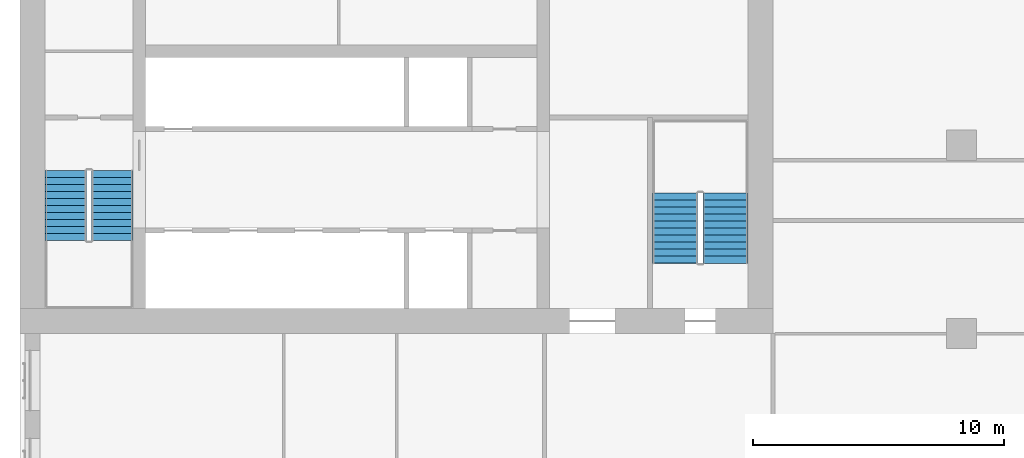
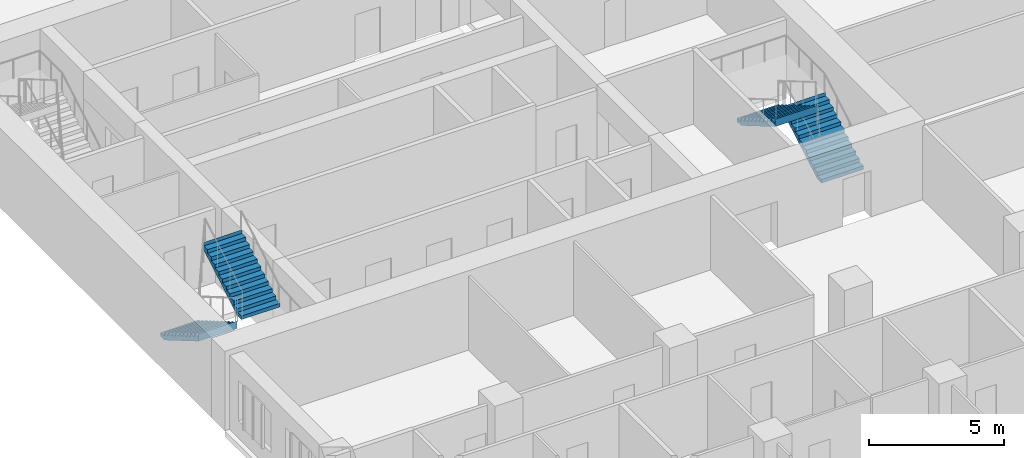
# One storey, part 12 of 14: 4 stair flights, 2 elements without a shape of their own.
"""IFC4 building model written with IfcOpenShell, lengths in metres."""

from ifc_helpers import new_model, si_unit, direction, frame, origin, place, context, subcontext, project, spatial, polyline, outline, extrude, material, type_object, element, aggregate, save


model = new_model("IFC4")

# Units and contexts
model_context = context("Model", 3, precision=1e-05, world=origin(), true_north=direction((0.0, 1.0)))
body_context = subcontext(model_context, "Body", "Model", "MODEL_VIEW")
ifc_project = project(units=[si_unit("LENGTHUNIT", "METRE"), si_unit("AREAUNIT", "SQUARE_METRE"), si_unit("VOLUMEUNIT", "CUBIC_METRE"), si_unit("PLANEANGLEUNIT", "RADIAN"), si_unit("MASSUNIT", "GRAM", prefix="KILO")], contexts=[model_context])

# Site, building, storey
site_placement = place(None, origin())
site = spatial("IfcSite", under=ifc_project, at=site_placement, CompositionType="ELEMENT")
building_placement = place(site_placement, origin())
building = spatial("IfcBuilding", under=site, at=building_placement, Name="Tamorin Gate", CompositionType="ELEMENT")
storey_placement = place(building_placement, frame((0.0, 0.0, 55.60009765625)))
storey = spatial("IfcBuildingStorey", under=building, at=storey_placement, Name="L12", CompositionType="ELEMENT", Elevation=55.60009765625)

# Stair, stair flights
ifc_material = material(Name="Concrete C40/50", Category="concrete")
stair_type = type_object("IfcStairType", Name="Exit stair", PredefinedType="HALF_TURN_STAIR", material=ifc_material)
stair_1_placement = place(storey_placement, origin())
stair_1 = element("IfcStair", 1, at=stair_1_placement, inside=storey, type_object=stair_type, Name="L12 stair ST1", PredefinedType="HALF_TURN_STAIR")
stair_flight_type = type_object("IfcStairFlightType", Name="Exit stair flight", PredefinedType="STRAIGHT", material=ifc_material)
stair_flight_1_placement = place(storey_placement, frame((31.824951171875, 66.5, 0.0), z_axis=(0.0, 0.0, 1.0), x_axis=(0.0, -1.0, 0.0)))
stair_flight_1 = element("IfcStairFlight", 2, at=stair_flight_1_placement, type_object=stair_flight_type, Name="ST1 flight 1", NumberOfRisers=11, NumberOfTreads=10, PredefinedType="STRAIGHT", RiserHeight=0.163636364, TreadLength=0.28, context=body_context, shape_type="SweptSolid", body=[
    extrude(outline(polyline([(-0.00048828125, 0.0), (-0.00048828125, 0.001708984375), (-0.00048828125, 0.003173828125), (-0.00048828125, 0.0048828125), (-0.00048828125, 0.006591796875), (-0.00048828125, 0.008056640625), (-0.00048828125, 0.009765625), (-0.00048828125, 0.01123046875), (-0.00048828125, 0.012939453125), (-0.00048828125, 0.0146484375), (-0.00048828125, 0.01611328125), (-0.00048828125, 0.017822265625), (-0.00048828125, 0.01953125), (-0.00048828125, 0.02099609375), (-0.00048828125, 0.022705078125), (-0.00048828125, 0.0244140625), (-0.00048828125, 0.02587890625), (-0.00048828125, 0.027587890625), (-0.00048828125, 0.029052734375), (-0.00048828125, 0.03076171875), (-0.00048828125, 0.032470703125), (-0.00048828125, 0.033935546875), (-0.00048828125, 0.03564453125), (-0.00048828125, 0.037353515625), (-0.00048828125, 0.038818359375), (-0.00048828125, 0.04052734375), (-0.00048828125, 0.042236328125), (-0.00048828125, 0.043701171875), (-0.00048828125, 0.04541015625), (-0.00048828125, 0.046875), (-0.00048828125, 0.048583984375), (-0.00048828125, 0.05029296875), (-0.00048828125, 0.0517578125), (-0.00048828125, 0.053466796875), (-0.00048828125, 0.05517578125), (-0.00048828125, 0.056640625), (-0.00048828125, 0.058349609375), (-0.00048828125, 0.06005859375), (-0.00048828125, 0.0615234375), (-0.00048828125, 0.063232421875), (-0.00048828125, 0.064697265625), (-0.00048828125, 0.06640625), (-0.00048828125, 0.068115234375), (-0.00048828125, 0.069580078125), (-0.00048828125, 0.0712890625), (-0.00048828125, 0.072998046875), (-0.00048828125, 0.074462890625), (-0.00048828125, 0.076171875), (-0.00048828125, 0.077880859375), (-0.00048828125, 0.079345703125), (-0.00048828125, 0.0810546875), (-0.00048828125, 0.08251953125), (-0.00048828125, 0.084228515625), (-0.00048828125, 0.0859375), (-0.00048828125, 0.08740234375), (-0.00048828125, 0.089111328125), (-0.00048828125, 0.0908203125), (-0.00048828125, 0.09228515625), (-0.00048828125, 0.093994140625), (-0.00048828125, 0.095703125), (-0.00048828125, 0.09716796875), (-0.00048828125, 0.098876953125), (-0.00048828125, 0.100341796875), (-0.00048828125, 0.10205078125), (-0.00048828125, 0.103759765625), (-0.00048828125, 0.105224609375), (-0.00048828125, 0.10693359375), (-0.00048828125, 0.108642578125), (-0.00048828125, 0.110107421875), (-0.00048828125, 0.11181640625), (-0.00048828125, 0.113525390625), (-0.00048828125, 0.114990234375), (-0.00048828125, 0.11669921875), (-0.00048828125, 0.1181640625), (-0.00048828125, 0.119873046875), (-0.00048828125, 0.12158203125), (-0.00048828125, 0.123046875), (-0.00048828125, 0.124755859375), (-0.00048828125, 0.12646484375), (-0.00048828125, 0.1279296875), (-0.00048828125, 0.129638671875), (-0.00048828125, 0.13134765625), (-0.00048828125, 0.1328125), (-0.00048828125, 0.134521484375), (-0.00048828125, 0.135986328125), (-0.00048828125, 0.1376953125), (-0.00048828125, 0.139404296875), (-0.00048828125, 0.140869140625), (-0.00048828125, 0.142578125), (-0.00048828125, 0.144287109375), (-0.00048828125, 0.145751953125), (-0.00048828125, 0.1474609375), (-0.00048828125, 0.149169921875), (-0.00048828125, 0.150634765625), (-0.00048828125, 0.15234375), (-0.00048828125, 0.15380859375), (-0.00048828125, 0.155517578125), (-0.00048828125, 0.1572265625), (-0.00048828125, 0.15869140625), (-0.00048828125, 0.160400390625), (-0.00048828125, 0.162109375), (-0.00048828125, 0.16357421875), (0.280029296875, 0.16357421875), (0.280029296875, 0.327392578125), (0.56005859375, 0.327392578125), (0.56005859375, 0.490966796875), (0.840087890625, 0.490966796875), (0.840087890625, 0.654541015625), (1.1201171875, 0.654541015625), (1.1201171875, 0.818115234375), (1.39990234375, 0.818115234375), (1.39990234375, 0.98193359375), (1.679931640625, 0.98193359375), (1.679931640625, 1.1455078125), (1.9599609375, 1.1455078125), (1.9599609375, 1.30908203125), (2.239990234375, 1.30908203125), (2.239990234375, 1.47265625), (2.52001953125, 1.47265625), (2.52001953125, 1.636474609375), (2.800048828125, 1.636474609375), (2.800048828125, 1.800048828125), (2.800537109375, 1.800048828125), (2.800537109375, 1.796630859375), (2.800537109375, 1.793212890625), (2.800537109375, 1.7900390625), (2.800537109375, 1.78662109375), (2.800537109375, 1.783203125), (2.800537109375, 1.780029296875), (2.800537109375, 1.776611328125), (2.800537109375, 1.773193359375), (2.800537109375, 1.77001953125), (2.800537109375, 1.7666015625), (2.800537109375, 1.76318359375), (2.800537109375, 1.760009765625), (2.800537109375, 1.756591796875), (2.800537109375, 1.753173828125), (2.800537109375, 1.75), (2.800537109375, 1.74658203125), (2.800537109375, 1.7431640625), (2.800537109375, 1.739990234375), (2.800537109375, 1.736572265625), (2.800537109375, 1.733154296875), (2.800537109375, 1.72998046875), (2.800537109375, 1.7265625), (2.800537109375, 1.72314453125), (2.800537109375, 1.719970703125), (2.800537109375, 1.716552734375), (2.800537109375, 1.713134765625), (2.800537109375, 1.7099609375), (2.800537109375, 1.70654296875), (2.800537109375, 1.703125), (2.800537109375, 1.69970703125), (2.800537109375, 1.696533203125), (2.800537109375, 1.693115234375), (2.800537109375, 1.689697265625), (2.800537109375, 1.6865234375), (2.800537109375, 1.68310546875), (2.800537109375, 1.6796875), (2.800537109375, 1.676513671875), (2.800537109375, 1.673095703125), (2.800537109375, 1.669677734375), (2.800537109375, 1.66650390625), (2.800537109375, 1.6630859375), (2.800537109375, 1.65966796875), (2.800537109375, 1.656494140625), (2.800537109375, 1.653076171875), (2.800537109375, 1.649658203125), (2.800537109375, 1.646484375), (2.800537109375, 1.64306640625), (2.800537109375, 1.6396484375), (2.800537109375, 1.636474609375), (2.800537109375, 1.633056640625), (2.800537109375, 1.629638671875), (2.800537109375, 1.62646484375), (2.800537109375, 1.623046875), (2.800537109375, 1.61962890625), (2.800537109375, 1.616455078125), (2.800537109375, 1.613037109375), (2.800537109375, 1.609619140625), (2.800537109375, 1.6064453125), (2.800537109375, 1.60302734375), (2.800537109375, 1.599609375), (2.800537109375, 1.59619140625), (2.800537109375, 1.593017578125), (2.800537109375, 1.589599609375), (2.800537109375, 1.586181640625), (2.800537109375, 1.5830078125), (2.800537109375, 1.57958984375), (2.800537109375, 1.576171875), (2.800537109375, 1.572998046875), (2.800537109375, 1.569580078125), (2.800537109375, 1.566162109375), (2.800537109375, 1.56298828125), (2.800537109375, 1.5595703125), (2.800537109375, 1.55615234375), (2.800537109375, 1.552978515625), (2.800537109375, 1.549560546875), (2.800537109375, 1.546142578125), (2.800537109375, 1.54296875), (2.800537109375, 1.53955078125), (2.800537109375, 1.5361328125), (2.800537109375, 1.532958984375), (2.800537109375, 1.529541015625), (2.800537109375, 1.526123046875), (2.800537109375, 1.52294921875), (2.800537109375, 1.51953125), (2.800537109375, 1.51611328125), (2.800537109375, 1.512939453125), (2.800537109375, 1.509521484375), (2.800537109375, 1.506103515625), (2.800537109375, 1.5029296875), (2.800537109375, 1.49951171875), (2.800537109375, 1.49609375), (2.800537109375, 1.49267578125), (2.800537109375, 1.489501953125), (2.800537109375, 1.486083984375), (2.800537109375, 1.482666015625), (2.800537109375, 1.4794921875), (2.800537109375, 1.47607421875), (2.800537109375, 1.47265625), (2.800537109375, 1.469482421875), (2.800537109375, 1.466064453125), (2.800537109375, 1.462646484375), (2.800048828125, 1.462646484375), (0.297119140625, 0.0), (-0.00048828125, 0.0)])), frame((0.0, 0.824951171875, 0.0), z_axis=(0.0, -1.0, 0.0), x_axis=(1.0, 0.0, 0.0)), (0.0, 0.0, 1.0), 1.64990234375),
])
stair_flight_2_placement = place(storey_placement, frame((33.675048828125, 63.699951171875, 1.7998046875), z_axis=(0.0, 0.0, 1.0), x_axis=(0.0, 1.0, 0.0)))
stair_flight_2 = element("IfcStairFlight", 3, at=stair_flight_2_placement, type_object=stair_flight_type, Name="ST1 flight 2", NumberOfRisers=11, NumberOfTreads=10, PredefinedType="STRAIGHT", RiserHeight=0.163636364, TreadLength=0.28, context=body_context, shape_type="SweptSolid", body=[
    extrude(outline(polyline([(-0.00048828125, 0.0), (-0.00048828125, 0.001708984375), (-0.00048828125, 0.003173828125), (-0.00048828125, 0.0048828125), (-0.00048828125, 0.006591796875), (-0.00048828125, 0.008056640625), (-0.00048828125, 0.009765625), (-0.00048828125, 0.01123046875), (-0.00048828125, 0.012939453125), (-0.00048828125, 0.0146484375), (-0.00048828125, 0.01611328125), (-0.00048828125, 0.017822265625), (-0.00048828125, 0.01953125), (-0.00048828125, 0.02099609375), (-0.00048828125, 0.022705078125), (-0.00048828125, 0.0244140625), (-0.00048828125, 0.02587890625), (-0.00048828125, 0.027587890625), (-0.00048828125, 0.029052734375), (-0.00048828125, 0.03076171875), (-0.00048828125, 0.032470703125), (-0.00048828125, 0.033935546875), (-0.00048828125, 0.03564453125), (-0.00048828125, 0.037353515625), (-0.00048828125, 0.038818359375), (-0.00048828125, 0.04052734375), (-0.00048828125, 0.042236328125), (-0.00048828125, 0.043701171875), (-0.00048828125, 0.04541015625), (-0.00048828125, 0.046875), (-0.00048828125, 0.048583984375), (-0.00048828125, 0.05029296875), (-0.00048828125, 0.0517578125), (-0.00048828125, 0.053466796875), (-0.00048828125, 0.05517578125), (-0.00048828125, 0.056640625), (-0.00048828125, 0.058349609375), (-0.00048828125, 0.06005859375), (-0.00048828125, 0.0615234375), (-0.00048828125, 0.063232421875), (-0.00048828125, 0.064697265625), (-0.00048828125, 0.06640625), (-0.00048828125, 0.068115234375), (-0.00048828125, 0.069580078125), (-0.00048828125, 0.0712890625), (-0.00048828125, 0.072998046875), (-0.00048828125, 0.074462890625), (-0.00048828125, 0.076171875), (-0.00048828125, 0.077880859375), (-0.00048828125, 0.079345703125), (-0.00048828125, 0.0810546875), (-0.00048828125, 0.08251953125), (-0.00048828125, 0.084228515625), (-0.00048828125, 0.0859375), (-0.00048828125, 0.08740234375), (-0.00048828125, 0.089111328125), (-0.00048828125, 0.0908203125), (-0.00048828125, 0.09228515625), (-0.00048828125, 0.093994140625), (-0.00048828125, 0.095703125), (-0.00048828125, 0.09716796875), (-0.00048828125, 0.098876953125), (-0.00048828125, 0.100341796875), (-0.00048828125, 0.10205078125), (-0.00048828125, 0.103759765625), (-0.00048828125, 0.105224609375), (-0.00048828125, 0.10693359375), (-0.00048828125, 0.108642578125), (-0.00048828125, 0.110107421875), (-0.00048828125, 0.11181640625), (-0.00048828125, 0.113525390625), (-0.00048828125, 0.114990234375), (-0.00048828125, 0.11669921875), (-0.00048828125, 0.1181640625), (-0.00048828125, 0.119873046875), (-0.00048828125, 0.12158203125), (-0.00048828125, 0.123046875), (-0.00048828125, 0.124755859375), (-0.00048828125, 0.12646484375), (-0.00048828125, 0.1279296875), (-0.00048828125, 0.129638671875), (-0.00048828125, 0.13134765625), (-0.00048828125, 0.1328125), (-0.00048828125, 0.134521484375), (-0.00048828125, 0.135986328125), (-0.00048828125, 0.1376953125), (-0.00048828125, 0.139404296875), (-0.00048828125, 0.140869140625), (-0.00048828125, 0.142578125), (-0.00048828125, 0.144287109375), (-0.00048828125, 0.145751953125), (-0.00048828125, 0.1474609375), (-0.00048828125, 0.149169921875), (-0.00048828125, 0.150634765625), (-0.00048828125, 0.15234375), (-0.00048828125, 0.15380859375), (-0.00048828125, 0.155517578125), (-0.00048828125, 0.1572265625), (-0.00048828125, 0.15869140625), (-0.00048828125, 0.160400390625), (-0.00048828125, 0.162109375), (-0.00048828125, 0.16357421875), (0.280029296875, 0.16357421875), (0.280029296875, 0.327392578125), (0.56005859375, 0.327392578125), (0.56005859375, 0.490966796875), (0.840087890625, 0.490966796875), (0.840087890625, 0.654541015625), (1.1201171875, 0.654541015625), (1.1201171875, 0.818115234375), (1.39990234375, 0.818115234375), (1.39990234375, 0.98193359375), (1.679931640625, 0.98193359375), (1.679931640625, 1.1455078125), (1.9599609375, 1.1455078125), (1.9599609375, 1.30908203125), (2.239990234375, 1.30908203125), (2.239990234375, 1.47265625), (2.52001953125, 1.47265625), (2.52001953125, 1.636474609375), (2.800048828125, 1.636474609375), (2.800048828125, 1.800048828125), (2.800537109375, 1.800048828125), (2.800537109375, 1.796630859375), (2.800537109375, 1.793212890625), (2.800537109375, 1.7900390625), (2.800537109375, 1.78662109375), (2.800537109375, 1.783203125), (2.800537109375, 1.780029296875), (2.800537109375, 1.776611328125), (2.800537109375, 1.773193359375), (2.800537109375, 1.77001953125), (2.800537109375, 1.7666015625), (2.800537109375, 1.76318359375), (2.800537109375, 1.760009765625), (2.800537109375, 1.756591796875), (2.800537109375, 1.753173828125), (2.800537109375, 1.75), (2.800537109375, 1.74658203125), (2.800537109375, 1.7431640625), (2.800537109375, 1.739990234375), (2.800537109375, 1.736572265625), (2.800537109375, 1.733154296875), (2.800537109375, 1.72998046875), (2.800537109375, 1.7265625), (2.800537109375, 1.72314453125), (2.800537109375, 1.719970703125), (2.800537109375, 1.716552734375), (2.800537109375, 1.713134765625), (2.800537109375, 1.7099609375), (2.800537109375, 1.70654296875), (2.800537109375, 1.703125), (2.800537109375, 1.69970703125), (2.800537109375, 1.696533203125), (2.800537109375, 1.693115234375), (2.800537109375, 1.689697265625), (2.800537109375, 1.6865234375), (2.800537109375, 1.68310546875), (2.800537109375, 1.6796875), (2.800537109375, 1.676513671875), (2.800537109375, 1.673095703125), (2.800537109375, 1.669677734375), (2.800537109375, 1.66650390625), (2.800537109375, 1.6630859375), (2.800537109375, 1.65966796875), (2.800537109375, 1.656494140625), (2.800537109375, 1.653076171875), (2.800537109375, 1.649658203125), (2.800537109375, 1.646484375), (2.800537109375, 1.64306640625), (2.800537109375, 1.6396484375), (2.800537109375, 1.636474609375), (2.800537109375, 1.633056640625), (2.800537109375, 1.629638671875), (2.800537109375, 1.62646484375), (2.800537109375, 1.623046875), (2.800537109375, 1.61962890625), (2.800537109375, 1.616455078125), (2.800537109375, 1.613037109375), (2.800537109375, 1.609619140625), (2.800537109375, 1.6064453125), (2.800537109375, 1.60302734375), (2.800537109375, 1.599609375), (2.800537109375, 1.59619140625), (2.800537109375, 1.593017578125), (2.800537109375, 1.589599609375), (2.800537109375, 1.586181640625), (2.800537109375, 1.5830078125), (2.800537109375, 1.57958984375), (2.800537109375, 1.576171875), (2.800537109375, 1.572998046875), (2.800537109375, 1.569580078125), (2.800537109375, 1.566162109375), (2.800537109375, 1.56298828125), (2.800537109375, 1.5595703125), (2.800537109375, 1.55615234375), (2.800537109375, 1.552978515625), (2.800537109375, 1.549560546875), (2.800537109375, 1.546142578125), (2.800537109375, 1.54296875), (2.800537109375, 1.53955078125), (2.800537109375, 1.5361328125), (2.800537109375, 1.532958984375), (2.800537109375, 1.529541015625), (2.800537109375, 1.526123046875), (2.800537109375, 1.52294921875), (2.800537109375, 1.51953125), (2.800537109375, 1.51611328125), (2.800537109375, 1.512939453125), (2.800537109375, 1.509521484375), (2.800537109375, 1.506103515625), (2.800537109375, 1.5029296875), (2.800537109375, 1.49951171875), (2.800537109375, 1.49609375), (2.800537109375, 1.49267578125), (2.800537109375, 1.489501953125), (2.800537109375, 1.486083984375), (2.800537109375, 1.482666015625), (2.800537109375, 1.4794921875), (2.800537109375, 1.47607421875), (2.800537109375, 1.47265625), (2.800537109375, 1.469482421875), (2.800537109375, 1.466064453125), (2.800537109375, 1.462646484375), (2.800048828125, 1.462646484375), (0.297119140625, 0.0), (-0.00048828125, 0.0)])), frame((0.0, 0.824951171875, 0.0), z_axis=(0.0, -1.0, 0.0), x_axis=(1.0, 0.0, 0.0)), (0.0, 0.0, 1.0), 1.64990234375),
])
aggregate(stair_1, [stair_flight_1, stair_flight_2])

stair_2_placement = place(storey_placement, origin())
stair_2 = element("IfcStair", 4, at=stair_2_placement, inside=storey, type_object=stair_type, Name="L12 stair ST3", PredefinedType="HALF_TURN_STAIR")
stair_flight_3_placement = place(storey_placement, frame((58.10009765625, 62.800048828125, 0.0), z_axis=(0.0, 0.0, 1.0), x_axis=(0.0, 1.0, 0.0)))
stair_flight_3 = element("IfcStairFlight", 5, at=stair_flight_3_placement, type_object=stair_flight_type, Name="ST3 flight 1", NumberOfRisers=11, NumberOfTreads=10, PredefinedType="STRAIGHT", RiserHeight=0.163636364, TreadLength=0.28, context=body_context, shape_type="SweptSolid", body=[
    extrude(outline(polyline([(-0.00048828125, 0.0), (-0.00048828125, 0.001708984375), (-0.00048828125, 0.003173828125), (-0.00048828125, 0.0048828125), (-0.00048828125, 0.006591796875), (-0.00048828125, 0.008056640625), (-0.00048828125, 0.009765625), (-0.00048828125, 0.01123046875), (-0.00048828125, 0.012939453125), (-0.00048828125, 0.0146484375), (-0.00048828125, 0.01611328125), (-0.00048828125, 0.017822265625), (-0.00048828125, 0.01953125), (-0.00048828125, 0.02099609375), (-0.00048828125, 0.022705078125), (-0.00048828125, 0.0244140625), (-0.00048828125, 0.02587890625), (-0.00048828125, 0.027587890625), (-0.00048828125, 0.029052734375), (-0.00048828125, 0.03076171875), (-0.00048828125, 0.032470703125), (-0.00048828125, 0.033935546875), (-0.00048828125, 0.03564453125), (-0.00048828125, 0.037353515625), (-0.00048828125, 0.038818359375), (-0.00048828125, 0.04052734375), (-0.00048828125, 0.042236328125), (-0.00048828125, 0.043701171875), (-0.00048828125, 0.04541015625), (-0.00048828125, 0.046875), (-0.00048828125, 0.048583984375), (-0.00048828125, 0.05029296875), (-0.00048828125, 0.0517578125), (-0.00048828125, 0.053466796875), (-0.00048828125, 0.05517578125), (-0.00048828125, 0.056640625), (-0.00048828125, 0.058349609375), (-0.00048828125, 0.06005859375), (-0.00048828125, 0.0615234375), (-0.00048828125, 0.063232421875), (-0.00048828125, 0.064697265625), (-0.00048828125, 0.06640625), (-0.00048828125, 0.068115234375), (-0.00048828125, 0.069580078125), (-0.00048828125, 0.0712890625), (-0.00048828125, 0.072998046875), (-0.00048828125, 0.074462890625), (-0.00048828125, 0.076171875), (-0.00048828125, 0.077880859375), (-0.00048828125, 0.079345703125), (-0.00048828125, 0.0810546875), (-0.00048828125, 0.08251953125), (-0.00048828125, 0.084228515625), (-0.00048828125, 0.0859375), (-0.00048828125, 0.08740234375), (-0.00048828125, 0.089111328125), (-0.00048828125, 0.0908203125), (-0.00048828125, 0.09228515625), (-0.00048828125, 0.093994140625), (-0.00048828125, 0.095703125), (-0.00048828125, 0.09716796875), (-0.00048828125, 0.098876953125), (-0.00048828125, 0.100341796875), (-0.00048828125, 0.10205078125), (-0.00048828125, 0.103759765625), (-0.00048828125, 0.105224609375), (-0.00048828125, 0.10693359375), (-0.00048828125, 0.108642578125), (-0.00048828125, 0.110107421875), (-0.00048828125, 0.11181640625), (-0.00048828125, 0.113525390625), (-0.00048828125, 0.114990234375), (-0.00048828125, 0.11669921875), (-0.00048828125, 0.1181640625), (-0.00048828125, 0.119873046875), (-0.00048828125, 0.12158203125), (-0.00048828125, 0.123046875), (-0.00048828125, 0.124755859375), (-0.00048828125, 0.12646484375), (-0.00048828125, 0.1279296875), (-0.00048828125, 0.129638671875), (-0.00048828125, 0.13134765625), (-0.00048828125, 0.1328125), (-0.00048828125, 0.134521484375), (-0.00048828125, 0.135986328125), (-0.00048828125, 0.1376953125), (-0.00048828125, 0.139404296875), (-0.00048828125, 0.140869140625), (-0.00048828125, 0.142578125), (-0.00048828125, 0.144287109375), (-0.00048828125, 0.145751953125), (-0.00048828125, 0.1474609375), (-0.00048828125, 0.149169921875), (-0.00048828125, 0.150634765625), (-0.00048828125, 0.15234375), (-0.00048828125, 0.15380859375), (-0.00048828125, 0.155517578125), (-0.00048828125, 0.1572265625), (-0.00048828125, 0.15869140625), (-0.00048828125, 0.160400390625), (-0.00048828125, 0.162109375), (-0.00048828125, 0.16357421875), (0.280029296875, 0.16357421875), (0.280029296875, 0.327392578125), (0.56005859375, 0.327392578125), (0.56005859375, 0.490966796875), (0.840087890625, 0.490966796875), (0.840087890625, 0.654541015625), (1.1201171875, 0.654541015625), (1.1201171875, 0.818115234375), (1.39990234375, 0.818115234375), (1.39990234375, 0.98193359375), (1.679931640625, 0.98193359375), (1.679931640625, 1.1455078125), (1.9599609375, 1.1455078125), (1.9599609375, 1.30908203125), (2.239990234375, 1.30908203125), (2.239990234375, 1.47265625), (2.52001953125, 1.47265625), (2.52001953125, 1.636474609375), (2.800048828125, 1.636474609375), (2.800048828125, 1.800048828125), (2.800537109375, 1.800048828125), (2.800537109375, 1.796630859375), (2.800537109375, 1.793212890625), (2.800537109375, 1.7900390625), (2.800537109375, 1.78662109375), (2.800537109375, 1.783203125), (2.800537109375, 1.780029296875), (2.800537109375, 1.776611328125), (2.800537109375, 1.773193359375), (2.800537109375, 1.77001953125), (2.800537109375, 1.7666015625), (2.800537109375, 1.76318359375), (2.800537109375, 1.760009765625), (2.800537109375, 1.756591796875), (2.800537109375, 1.753173828125), (2.800537109375, 1.75), (2.800537109375, 1.74658203125), (2.800537109375, 1.7431640625), (2.800537109375, 1.739990234375), (2.800537109375, 1.736572265625), (2.800537109375, 1.733154296875), (2.800537109375, 1.72998046875), (2.800537109375, 1.7265625), (2.800537109375, 1.72314453125), (2.800537109375, 1.719970703125), (2.800537109375, 1.716552734375), (2.800537109375, 1.713134765625), (2.800537109375, 1.7099609375), (2.800537109375, 1.70654296875), (2.800537109375, 1.703125), (2.800537109375, 1.69970703125), (2.800537109375, 1.696533203125), (2.800537109375, 1.693115234375), (2.800537109375, 1.689697265625), (2.800537109375, 1.6865234375), (2.800537109375, 1.68310546875), (2.800537109375, 1.6796875), (2.800537109375, 1.676513671875), (2.800537109375, 1.673095703125), (2.800537109375, 1.669677734375), (2.800537109375, 1.66650390625), (2.800537109375, 1.6630859375), (2.800537109375, 1.65966796875), (2.800537109375, 1.656494140625), (2.800537109375, 1.653076171875), (2.800537109375, 1.649658203125), (2.800537109375, 1.646484375), (2.800537109375, 1.64306640625), (2.800537109375, 1.6396484375), (2.800537109375, 1.636474609375), (2.800537109375, 1.633056640625), (2.800537109375, 1.629638671875), (2.800537109375, 1.62646484375), (2.800537109375, 1.623046875), (2.800537109375, 1.61962890625), (2.800537109375, 1.616455078125), (2.800537109375, 1.613037109375), (2.800537109375, 1.609619140625), (2.800537109375, 1.6064453125), (2.800537109375, 1.60302734375), (2.800537109375, 1.599609375), (2.800537109375, 1.59619140625), (2.800537109375, 1.593017578125), (2.800537109375, 1.589599609375), (2.800537109375, 1.586181640625), (2.800537109375, 1.5830078125), (2.800537109375, 1.57958984375), (2.800537109375, 1.576171875), (2.800537109375, 1.572998046875), (2.800537109375, 1.569580078125), (2.800537109375, 1.566162109375), (2.800537109375, 1.56298828125), (2.800537109375, 1.5595703125), (2.800537109375, 1.55615234375), (2.800537109375, 1.552978515625), (2.800537109375, 1.549560546875), (2.800537109375, 1.546142578125), (2.800537109375, 1.54296875), (2.800537109375, 1.53955078125), (2.800537109375, 1.5361328125), (2.800537109375, 1.532958984375), (2.800537109375, 1.529541015625), (2.800537109375, 1.526123046875), (2.800537109375, 1.52294921875), (2.800537109375, 1.51953125), (2.800537109375, 1.51611328125), (2.800537109375, 1.512939453125), (2.800537109375, 1.509521484375), (2.800537109375, 1.506103515625), (2.800537109375, 1.5029296875), (2.800537109375, 1.49951171875), (2.800537109375, 1.49609375), (2.800537109375, 1.49267578125), (2.800537109375, 1.489501953125), (2.800537109375, 1.486083984375), (2.800537109375, 1.482666015625), (2.800537109375, 1.4794921875), (2.800537109375, 1.47607421875), (2.800537109375, 1.47265625), (2.800537109375, 1.469482421875), (2.800537109375, 1.466064453125), (2.800537109375, 1.462646484375), (2.800048828125, 1.462646484375), (0.297119140625, 0.0), (-0.00048828125, 0.0)])), frame((0.0, 0.89990234375, 0.0), z_axis=(0.0, -1.0, 0.0), x_axis=(1.0, 0.0, 0.0)), (0.0, 0.0, 1.0), 1.800048828125),
])
stair_flight_4_placement = place(storey_placement, frame((56.10009765625, 65.60009765625, 1.7998046875), z_axis=(0.0, 0.0, 1.0), x_axis=(0.0, -1.0, 0.0)))
stair_flight_4 = element("IfcStairFlight", 6, at=stair_flight_4_placement, type_object=stair_flight_type, Name="ST3 flight 2", NumberOfRisers=11, NumberOfTreads=10, PredefinedType="STRAIGHT", RiserHeight=0.163636364, TreadLength=0.28, context=body_context, shape_type="SweptSolid", body=[
    extrude(outline(polyline([(-0.00048828125, 0.0), (-0.00048828125, 0.001708984375), (-0.00048828125, 0.003173828125), (-0.00048828125, 0.0048828125), (-0.00048828125, 0.006591796875), (-0.00048828125, 0.008056640625), (-0.00048828125, 0.009765625), (-0.00048828125, 0.01123046875), (-0.00048828125, 0.012939453125), (-0.00048828125, 0.0146484375), (-0.00048828125, 0.01611328125), (-0.00048828125, 0.017822265625), (-0.00048828125, 0.01953125), (-0.00048828125, 0.02099609375), (-0.00048828125, 0.022705078125), (-0.00048828125, 0.0244140625), (-0.00048828125, 0.02587890625), (-0.00048828125, 0.027587890625), (-0.00048828125, 0.029052734375), (-0.00048828125, 0.03076171875), (-0.00048828125, 0.032470703125), (-0.00048828125, 0.033935546875), (-0.00048828125, 0.03564453125), (-0.00048828125, 0.037353515625), (-0.00048828125, 0.038818359375), (-0.00048828125, 0.04052734375), (-0.00048828125, 0.042236328125), (-0.00048828125, 0.043701171875), (-0.00048828125, 0.04541015625), (-0.00048828125, 0.046875), (-0.00048828125, 0.048583984375), (-0.00048828125, 0.05029296875), (-0.00048828125, 0.0517578125), (-0.00048828125, 0.053466796875), (-0.00048828125, 0.05517578125), (-0.00048828125, 0.056640625), (-0.00048828125, 0.058349609375), (-0.00048828125, 0.06005859375), (-0.00048828125, 0.0615234375), (-0.00048828125, 0.063232421875), (-0.00048828125, 0.064697265625), (-0.00048828125, 0.06640625), (-0.00048828125, 0.068115234375), (-0.00048828125, 0.069580078125), (-0.00048828125, 0.0712890625), (-0.00048828125, 0.072998046875), (-0.00048828125, 0.074462890625), (-0.00048828125, 0.076171875), (-0.00048828125, 0.077880859375), (-0.00048828125, 0.079345703125), (-0.00048828125, 0.0810546875), (-0.00048828125, 0.08251953125), (-0.00048828125, 0.084228515625), (-0.00048828125, 0.0859375), (-0.00048828125, 0.08740234375), (-0.00048828125, 0.089111328125), (-0.00048828125, 0.0908203125), (-0.00048828125, 0.09228515625), (-0.00048828125, 0.093994140625), (-0.00048828125, 0.095703125), (-0.00048828125, 0.09716796875), (-0.00048828125, 0.098876953125), (-0.00048828125, 0.100341796875), (-0.00048828125, 0.10205078125), (-0.00048828125, 0.103759765625), (-0.00048828125, 0.105224609375), (-0.00048828125, 0.10693359375), (-0.00048828125, 0.108642578125), (-0.00048828125, 0.110107421875), (-0.00048828125, 0.11181640625), (-0.00048828125, 0.113525390625), (-0.00048828125, 0.114990234375), (-0.00048828125, 0.11669921875), (-0.00048828125, 0.1181640625), (-0.00048828125, 0.119873046875), (-0.00048828125, 0.12158203125), (-0.00048828125, 0.123046875), (-0.00048828125, 0.124755859375), (-0.00048828125, 0.12646484375), (-0.00048828125, 0.1279296875), (-0.00048828125, 0.129638671875), (-0.00048828125, 0.13134765625), (-0.00048828125, 0.1328125), (-0.00048828125, 0.134521484375), (-0.00048828125, 0.135986328125), (-0.00048828125, 0.1376953125), (-0.00048828125, 0.139404296875), (-0.00048828125, 0.140869140625), (-0.00048828125, 0.142578125), (-0.00048828125, 0.144287109375), (-0.00048828125, 0.145751953125), (-0.00048828125, 0.1474609375), (-0.00048828125, 0.149169921875), (-0.00048828125, 0.150634765625), (-0.00048828125, 0.15234375), (-0.00048828125, 0.15380859375), (-0.00048828125, 0.155517578125), (-0.00048828125, 0.1572265625), (-0.00048828125, 0.15869140625), (-0.00048828125, 0.160400390625), (-0.00048828125, 0.162109375), (-0.00048828125, 0.16357421875), (0.280029296875, 0.16357421875), (0.280029296875, 0.327392578125), (0.56005859375, 0.327392578125), (0.56005859375, 0.490966796875), (0.840087890625, 0.490966796875), (0.840087890625, 0.654541015625), (1.1201171875, 0.654541015625), (1.1201171875, 0.818115234375), (1.39990234375, 0.818115234375), (1.39990234375, 0.98193359375), (1.679931640625, 0.98193359375), (1.679931640625, 1.1455078125), (1.9599609375, 1.1455078125), (1.9599609375, 1.30908203125), (2.239990234375, 1.30908203125), (2.239990234375, 1.47265625), (2.52001953125, 1.47265625), (2.52001953125, 1.636474609375), (2.800048828125, 1.636474609375), (2.800048828125, 1.800048828125), (2.800537109375, 1.800048828125), (2.800537109375, 1.796630859375), (2.800537109375, 1.793212890625), (2.800537109375, 1.7900390625), (2.800537109375, 1.78662109375), (2.800537109375, 1.783203125), (2.800537109375, 1.780029296875), (2.800537109375, 1.776611328125), (2.800537109375, 1.773193359375), (2.800537109375, 1.77001953125), (2.800537109375, 1.7666015625), (2.800537109375, 1.76318359375), (2.800537109375, 1.760009765625), (2.800537109375, 1.756591796875), (2.800537109375, 1.753173828125), (2.800537109375, 1.75), (2.800537109375, 1.74658203125), (2.800537109375, 1.7431640625), (2.800537109375, 1.739990234375), (2.800537109375, 1.736572265625), (2.800537109375, 1.733154296875), (2.800537109375, 1.72998046875), (2.800537109375, 1.7265625), (2.800537109375, 1.72314453125), (2.800537109375, 1.719970703125), (2.800537109375, 1.716552734375), (2.800537109375, 1.713134765625), (2.800537109375, 1.7099609375), (2.800537109375, 1.70654296875), (2.800537109375, 1.703125), (2.800537109375, 1.69970703125), (2.800537109375, 1.696533203125), (2.800537109375, 1.693115234375), (2.800537109375, 1.689697265625), (2.800537109375, 1.6865234375), (2.800537109375, 1.68310546875), (2.800537109375, 1.6796875), (2.800537109375, 1.676513671875), (2.800537109375, 1.673095703125), (2.800537109375, 1.669677734375), (2.800537109375, 1.66650390625), (2.800537109375, 1.6630859375), (2.800537109375, 1.65966796875), (2.800537109375, 1.656494140625), (2.800537109375, 1.653076171875), (2.800537109375, 1.649658203125), (2.800537109375, 1.646484375), (2.800537109375, 1.64306640625), (2.800537109375, 1.6396484375), (2.800537109375, 1.636474609375), (2.800537109375, 1.633056640625), (2.800537109375, 1.629638671875), (2.800537109375, 1.62646484375), (2.800537109375, 1.623046875), (2.800537109375, 1.61962890625), (2.800537109375, 1.616455078125), (2.800537109375, 1.613037109375), (2.800537109375, 1.609619140625), (2.800537109375, 1.6064453125), (2.800537109375, 1.60302734375), (2.800537109375, 1.599609375), (2.800537109375, 1.59619140625), (2.800537109375, 1.593017578125), (2.800537109375, 1.589599609375), (2.800537109375, 1.586181640625), (2.800537109375, 1.5830078125), (2.800537109375, 1.57958984375), (2.800537109375, 1.576171875), (2.800537109375, 1.572998046875), (2.800537109375, 1.569580078125), (2.800537109375, 1.566162109375), (2.800537109375, 1.56298828125), (2.800537109375, 1.5595703125), (2.800537109375, 1.55615234375), (2.800537109375, 1.552978515625), (2.800537109375, 1.549560546875), (2.800537109375, 1.546142578125), (2.800537109375, 1.54296875), (2.800537109375, 1.53955078125), (2.800537109375, 1.5361328125), (2.800537109375, 1.532958984375), (2.800537109375, 1.529541015625), (2.800537109375, 1.526123046875), (2.800537109375, 1.52294921875), (2.800537109375, 1.51953125), (2.800537109375, 1.51611328125), (2.800537109375, 1.512939453125), (2.800537109375, 1.509521484375), (2.800537109375, 1.506103515625), (2.800537109375, 1.5029296875), (2.800537109375, 1.49951171875), (2.800537109375, 1.49609375), (2.800537109375, 1.49267578125), (2.800537109375, 1.489501953125), (2.800537109375, 1.486083984375), (2.800537109375, 1.482666015625), (2.800537109375, 1.4794921875), (2.800537109375, 1.47607421875), (2.800537109375, 1.47265625), (2.800537109375, 1.469482421875), (2.800537109375, 1.466064453125), (2.800537109375, 1.462646484375), (2.800048828125, 1.462646484375), (0.297119140625, 0.0), (-0.00048828125, 0.0)])), frame((0.0, 0.89990234375, 0.0), z_axis=(0.0, -1.0, 0.0), x_axis=(1.0, 0.0, 0.0)), (0.0, 0.0, 1.0), 1.800048828125),
])
aggregate(stair_2, [stair_flight_3, stair_flight_4])

save(model, "model.ifc")
